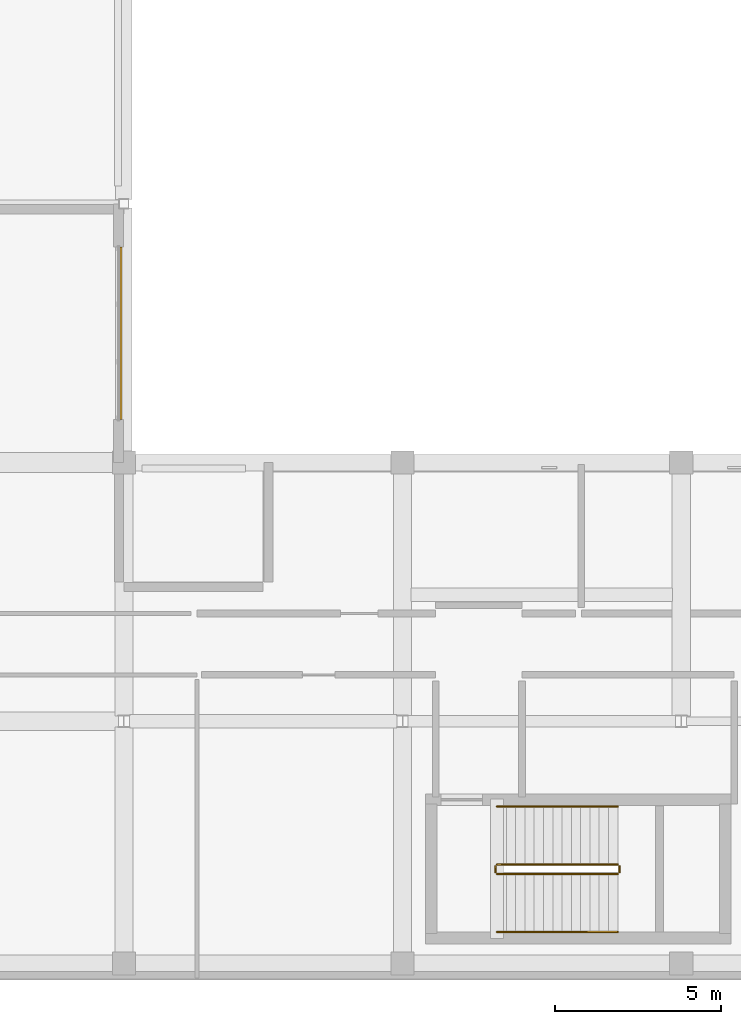
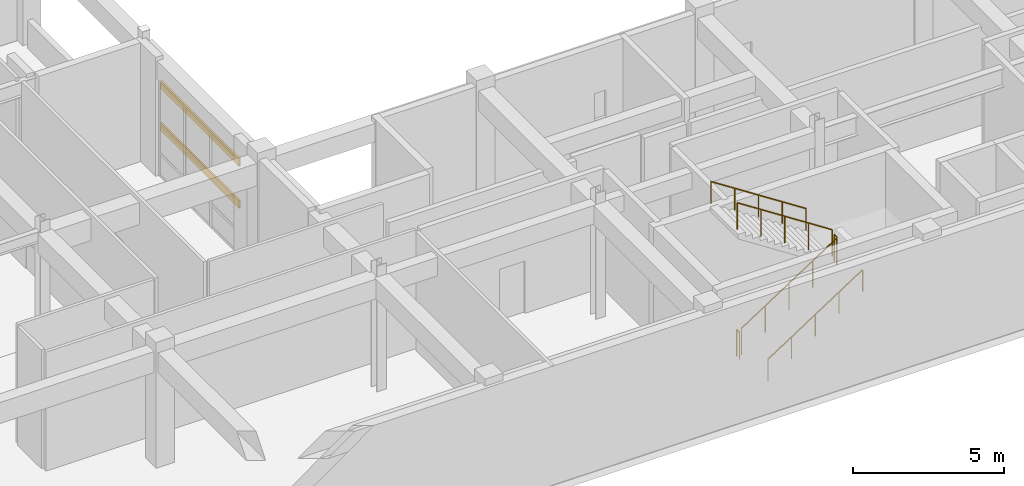
# One storey, part 68 of 78: 6 railings, 2 shading devices.
"""IFC4 building model written with IfcOpenShell, lengths in metres."""

from ifc_helpers import new_model, si_unit, direction, frame, origin, origin_2d, place, context, subcontext, project, spatial, hollow_rectangle, circle, extrude, material, material_profile, profile_set, type_object, element, save


model = new_model("IFC4")

# Units and contexts
model_context = context("Model", 3, precision=1e-05, world=origin(), true_north=direction((0.0, 1.0)))
body_context = subcontext(model_context, "Body", "Model", "MODEL_VIEW")
ifc_project = project(units=[si_unit("LENGTHUNIT", "METRE"), si_unit("AREAUNIT", "SQUARE_METRE"), si_unit("VOLUMEUNIT", "CUBIC_METRE"), si_unit("PLANEANGLEUNIT", "RADIAN"), si_unit("MASSUNIT", "GRAM", prefix="KILO")], contexts=[model_context])

# Site, building, storey
site_placement = place(None, origin())
site = spatial("IfcSite", under=ifc_project, at=site_placement, CompositionType="ELEMENT")
building_placement = place(site_placement, origin())
building = spatial("IfcBuilding", under=site, at=building_placement, Name="Quendrovan Civic Courthouse", CompositionType="ELEMENT")
storey_placement = place(building_placement, frame((0.0, 0.0, 10.199951171875)))
storey = spatial("IfcBuildingStorey", under=building, at=storey_placement, Name="L03", CompositionType="ELEMENT", Elevation=10.199951171875)

# Railings
ifc_material_1 = material(Name="Painted galvanized steel", Category="steel")
railing_type_1 = type_object("IfcRailingType", Name="RL-STR-GUARD1100", PredefinedType="GUARDRAIL", material=ifc_material_1)
railing_1_placement = place(storey_placement, frame((28.050048828125, 3.199951171875, 0.18212890625)))
element("IfcRailing", 1, at=railing_1_placement, inside=storey, type_object=railing_type_1, Name="L03 ST5 stair guard 1", PredefinedType="GUARDRAIL", context=body_context, shape_type="SweptSolid", body=[
    extrude(circle(Radius=0.02392578125, at=origin_2d()), frame((0.0, 0.0, 1.076171875), z_axis=(0.838234174257, 0.0, 0.545310433706), x_axis=(0.0, 1.0, 0.0)), (0.0, 0.0, 1.0), 4.34228515625),
    extrude(circle(Radius=0.02099609375, at=origin_2d()), origin(), (0.0, 0.0, 1.0), 1.052001953125),
    extrude(circle(Radius=0.02099609375, at=origin_2d()), frame((0.909912109375, 0.0, 0.592041015625)), (0.0, 0.0, 1.0), 1.052001953125),
    extrude(circle(Radius=0.02099609375, at=origin_2d()), frame((1.81982421875, 0.0, 1.18408203125)), (0.0, 0.0, 1.0), 1.052001953125),
    extrude(circle(Radius=0.02099609375, at=origin_2d()), frame((2.72998046875, 0.0, 1.77587890625)), (0.0, 0.0, 1.0), 1.052001953125),
    extrude(circle(Radius=0.02099609375, at=origin_2d()), frame((3.639892578125, 0.0, 2.367919921875)), (0.0, 0.0, 1.0), 1.052001953125),
])
railing_2_placement = place(storey_placement, frame((31.739990234375, 3.25, 2.550048828125)))
element("IfcRailing", 2, at=railing_2_placement, inside=storey, type_object=railing_type_1, Name="L03 ST5 stair guard 2", PredefinedType="GUARDRAIL", context=body_context, shape_type="SweptSolid", body=[
    extrude(circle(Radius=0.02392578125, at=origin_2d()), frame((0.0, 0.0, 1.076171875), z_axis=(0.0, 1.0, 0.0), x_axis=(-1.0, 0.0, 0.0)), (0.0, 0.0, 1.0), 0.179931640625),
    extrude(circle(Radius=0.02099609375, at=origin_2d()), origin(), (0.0, 0.0, 1.0), 1.052001953125),
    extrude(circle(Radius=0.02099609375, at=origin_2d()), frame((0.0, 0.179931640625, 0.0)), (0.0, 0.0, 1.0), 1.052001953125),
])
railing_3_placement = place(storey_placement, frame((31.68994140625, 3.47998046875, 2.732177734375)))
element("IfcRailing", 3, at=railing_3_placement, inside=storey, type_object=railing_type_1, Name="L03 ST5 stair guard 3", PredefinedType="GUARDRAIL", context=body_context, shape_type="SweptSolid", body=[
    extrude(circle(Radius=0.02392578125, at=origin_2d()), frame((0.0, 0.0, 1.076171875), z_axis=(-0.838234174257, 0.0, 0.545310433706), x_axis=(0.0, -1.0, 0.0)), (0.0, 0.0, 1.0), 4.34228515625),
    extrude(circle(Radius=0.02099609375, at=origin_2d()), origin(), (0.0, 0.0, 1.0), 1.052001953125),
    extrude(circle(Radius=0.02099609375, at=origin_2d()), frame((-0.909912109375, 0.0, 0.592041015625)), (0.0, 0.0, 1.0), 1.052001953125),
    extrude(circle(Radius=0.02099609375, at=origin_2d()), frame((-1.81982421875, 0.0, 1.18408203125)), (0.0, 0.0, 1.0), 1.052001953125),
    extrude(circle(Radius=0.02099609375, at=origin_2d()), frame((-2.72998046875, 0.0, 1.77587890625)), (0.0, 0.0, 1.0), 1.052001953125),
    extrude(circle(Radius=0.02099609375, at=origin_2d()), frame((-3.639892578125, 0.0, 2.367919921875)), (0.0, 0.0, 1.0), 1.052001953125),
])
railing_4_placement = place(storey_placement, frame((28.0, 3.25, 0.0)))
element("IfcRailing", 4, at=railing_4_placement, inside=storey, type_object=railing_type_1, Name="L03 ST5 stair guard 4", PredefinedType="GUARDRAIL", context=body_context, shape_type="SweptSolid", body=[
    extrude(circle(Radius=0.02392578125, at=origin_2d()), frame((0.0, 0.0, 1.076171875), z_axis=(0.0, 1.0, 0.0), x_axis=(-1.0, 0.0, 0.0)), (0.0, 0.0, 1.0), 0.179931640625),
    extrude(circle(Radius=0.02099609375, at=origin_2d()), origin(), (0.0, 0.0, 1.0), 1.052001953125),
    extrude(circle(Radius=0.02099609375, at=origin_2d()), frame((0.0, 0.179931640625, 0.0)), (0.0, 0.0, 1.0), 1.052001953125),
])
ifc_material_2 = material(Name="Bronze anodised aluminium", Category="aluminium")
railing_type_2 = type_object("IfcRailingType", Name="RL-STR-HAND900", PredefinedType="HANDRAIL", material=ifc_material_2)
railing_5_placement = place(storey_placement, frame((28.050048828125, 1.449951171875, 0.18212890625)))
element("IfcRailing", 5, at=railing_5_placement, inside=storey, type_object=railing_type_2, Name="L03 ST5 stair handrail 1", PredefinedType="HANDRAIL", context=body_context, shape_type="SweptSolid", body=[
    extrude(circle(Radius=0.02392578125, at=origin_2d()), frame((0.0, 0.0, 0.8759765625), z_axis=(0.838234174257, 0.0, 0.545310433706), x_axis=(0.0, 1.0, 0.0)), (0.0, 0.0, 1.0), 4.34228515625),
    extrude(circle(Radius=0.02099609375, at=origin_2d()), origin(), (0.0, 0.0, 1.0), 0.851806640625),
    extrude(circle(Radius=0.02099609375, at=origin_2d()), frame((0.909912109375, 0.0, 0.592041015625)), (0.0, 0.0, 1.0), 0.851806640625),
    extrude(circle(Radius=0.02099609375, at=origin_2d()), frame((1.81982421875, 0.0, 1.18408203125)), (0.0, 0.0, 1.0), 0.851806640625),
    extrude(circle(Radius=0.02099609375, at=origin_2d()), frame((2.72998046875, 0.0, 1.77587890625)), (0.0, 0.0, 1.0), 0.851806640625),
    extrude(circle(Radius=0.02099609375, at=origin_2d()), frame((3.639892578125, 0.0, 2.367919921875)), (0.0, 0.0, 1.0), 0.851806640625),
])
railing_6_placement = place(storey_placement, frame((31.68994140625, 5.22998046875, 2.732177734375)))
element("IfcRailing", 6, at=railing_6_placement, inside=storey, type_object=railing_type_2, Name="L03 ST5 stair handrail 2", PredefinedType="HANDRAIL", context=body_context, shape_type="SweptSolid", body=[
    extrude(circle(Radius=0.02392578125, at=origin_2d()), frame((0.0, 0.0, 0.8759765625), z_axis=(-0.838234174257, 0.0, 0.545310433706), x_axis=(0.0, -1.0, 0.0)), (0.0, 0.0, 1.0), 4.34228515625),
    extrude(circle(Radius=0.02099609375, at=origin_2d()), origin(), (0.0, 0.0, 1.0), 0.851806640625),
    extrude(circle(Radius=0.02099609375, at=origin_2d()), frame((-0.909912109375, 0.0, 0.592041015625)), (0.0, 0.0, 1.0), 0.851806640625),
    extrude(circle(Radius=0.02099609375, at=origin_2d()), frame((-1.81982421875, 0.0, 1.18408203125)), (0.0, 0.0, 1.0), 0.851806640625),
    extrude(circle(Radius=0.02099609375, at=origin_2d()), frame((-2.72998046875, 0.0, 1.77587890625)), (0.0, 0.0, 1.0), 0.851806640625),
    extrude(circle(Radius=0.02099609375, at=origin_2d()), frame((-3.639892578125, 0.0, 2.367919921875)), (0.0, 0.0, 1.0), 0.851806640625),
])

# Shading devices
ifc_material_profile = material_profile(ifc_material_2, hollow_rectangle(XDim=0.06494140625, YDim=0.320068359375, WallThickness=0.0048828125, at=origin_2d()), Name="AL-LOUVRE-65x320")
ifc_profile_set = profile_set([ifc_material_profile], Name="Bronze anodised aluminium")
shading_device_type = type_object("IfcShadingDeviceType", Name="SHD-STORM-LOUVRE", PredefinedType="JALOUSIE", material=ifc_profile_set)
for number, where, z_axis, x_axis, name in (
    (7, (16.715087890625, 22.10009765625, 1.949951171875), (0.0, -1.0, 0.0), (1.0, 0.0, 0.0), "L03 Bronze Hurricane Storm Louvre SLV-127"),
    (8, (16.715087890625, 22.10009765625, 3.650146484375), (0.0, -1.0, 0.0), (1.0, 0.0, 0.0), "L03 Bronze Hurricane Storm Louvre SLV-128"),
):
    element("IfcShadingDevice", number, at=place(storey_placement, frame(where, z_axis=z_axis, x_axis=x_axis)), inside=storey, type_object=shading_device_type, Name=name, PredefinedType="JALOUSIE", context=body_context, shape_type="SweptSolid", body=[
        extrude(hollow_rectangle(XDim=0.06494140625, YDim=0.320068359375, WallThickness=0.0048828125, at=origin_2d()), origin(), (0.0, 0.0, 1.0), 5.2001953125),
    ])

save(model, "model.ifc")
